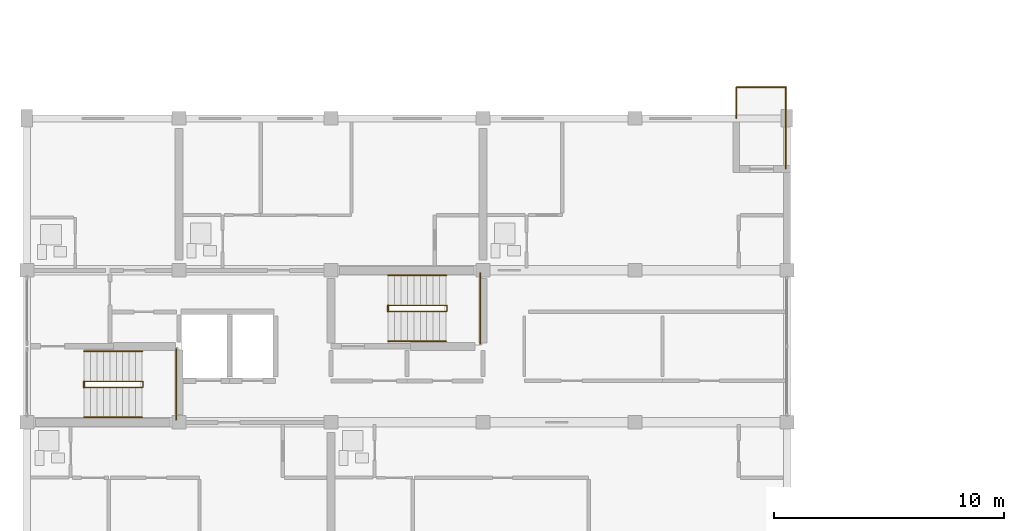
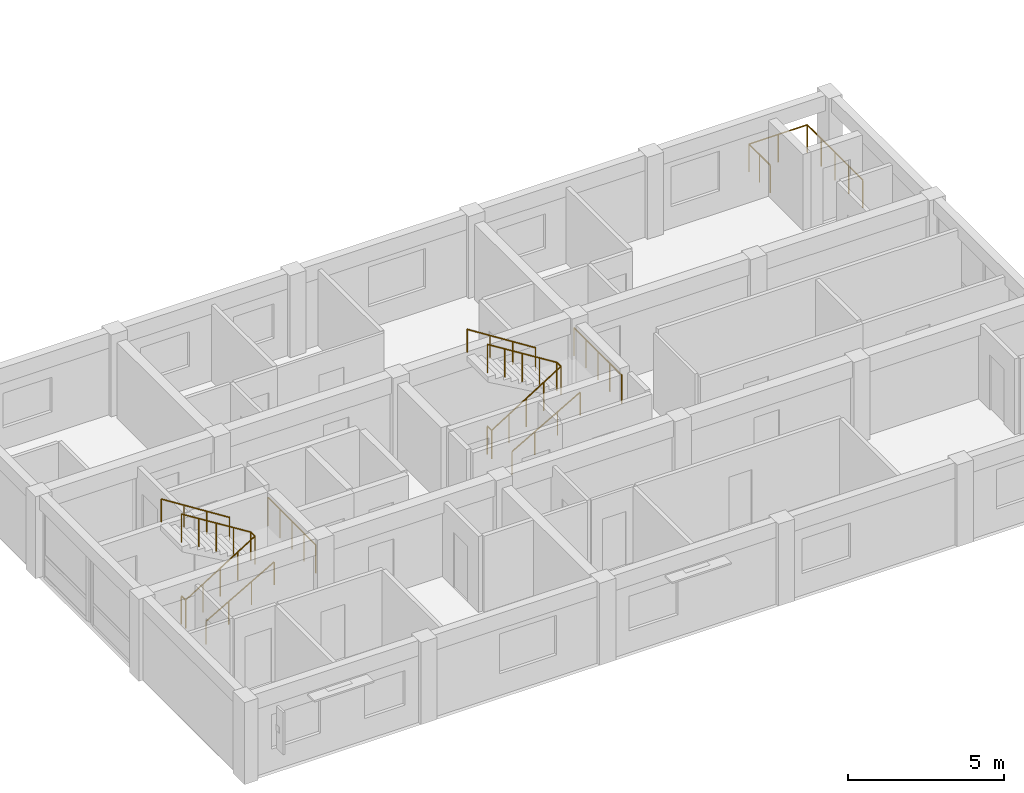
# One storey, part 49 of 52: 11 railings.
"""IFC4 building model written with IfcOpenShell, lengths in metres."""

from ifc_helpers import new_model, si_unit, direction, frame, origin, origin_2d, place, context, subcontext, project, spatial, circle, extrude, material, type_object, element, save


model = new_model("IFC4")

# Units and contexts
model_context = context("Model", 3, precision=1e-05, world=origin(), true_north=direction((0.0, 1.0)))
body_context = subcontext(model_context, "Body", "Model", "MODEL_VIEW")
ifc_project = project(units=[si_unit("LENGTHUNIT", "METRE"), si_unit("AREAUNIT", "SQUARE_METRE"), si_unit("VOLUMEUNIT", "CUBIC_METRE"), si_unit("PLANEANGLEUNIT", "RADIAN"), si_unit("MASSUNIT", "GRAM", prefix="KILO")], contexts=[model_context])

# Site, building, storey
site_placement = place(None, origin())
site = spatial("IfcSite", under=ifc_project, at=site_placement, CompositionType="ELEMENT")
building_placement = place(site_placement, origin())
building = spatial("IfcBuilding", under=site, at=building_placement, Name="Kernevlak Ridge Housing Community", CompositionType="ELEMENT")
storey_placement = place(building_placement, frame((0.0, 0.0, 11.60009765625)))
storey = spatial("IfcBuildingStorey", under=building, at=storey_placement, Name="L03", CompositionType="ELEMENT", Elevation=11.60009765625)

# Railings
ifc_material_1 = material(Name="Steel S355", Category="steel")
railing_type_1 = type_object("IfcRailingType", Name="BL-01", PredefinedType="BALUSTRADE", material=ifc_material_1)
railing_1_placement = place(storey_placement, frame((46.39990234375, 95.800048828125, 0.0)))
element("IfcRailing", 1, at=railing_1_placement, inside=storey, type_object=railing_type_1, Name="Block A L03 balcony balustrade BL-01 3", PredefinedType="BALUSTRADE", context=body_context, shape_type="SweptSolid", body=[
    extrude(circle(Radius=0.02392578125, at=origin_2d()), frame((0.0, 0.0, 1.076171875), z_axis=(0.0, 1.0, 0.0), x_axis=(-1.0, 0.0, 0.0)), (0.0, 0.0, 1.0), 1.349853515625),
    extrude(circle(Radius=0.02392578125, at=origin_2d()), frame((0.0, 1.349853515625, 1.076171875), z_axis=(1.0, 0.0, 0.0), x_axis=(0.0, 1.0, 0.0)), (0.0, 0.0, 1.0), 2.150146484375),
    extrude(circle(Radius=0.02392578125, at=origin_2d()), frame((2.150146484375, 1.349853515625, 1.076171875), z_axis=(0.0, -1.0, 0.0), x_axis=(1.0, 0.0, 0.0)), (0.0, 0.0, 1.0), 3.5498046875),
    extrude(circle(Radius=0.02099609375, at=origin_2d()), origin(), (0.0, 0.0, 1.0), 1.052001953125),
    extrude(circle(Radius=0.02099609375, at=origin_2d()), frame((0.0, 0.6748046875, 0.0)), (0.0, 0.0, 1.0), 1.052001953125),
    extrude(circle(Radius=0.02099609375, at=origin_2d()), frame((0.0, 1.349853515625, 0.0)), (0.0, 0.0, 1.0), 1.052001953125),
    extrude(circle(Radius=0.02099609375, at=origin_2d()), frame((1.0751953125, 1.349853515625, 0.0)), (0.0, 0.0, 1.0), 1.052001953125),
    extrude(circle(Radius=0.02099609375, at=origin_2d()), frame((2.150146484375, 1.349853515625, 0.0)), (0.0, 0.0, 1.0), 1.052001953125),
    extrude(circle(Radius=0.02099609375, at=origin_2d()), frame((2.150146484375, 0.46240234375, 0.0)), (0.0, 0.0, 1.0), 1.052001953125),
    extrude(circle(Radius=0.02099609375, at=origin_2d()), frame((2.150146484375, -0.425048828125, 0.0)), (0.0, 0.0, 1.0), 1.052001953125),
    extrude(circle(Radius=0.02099609375, at=origin_2d()), frame((2.150146484375, -1.3125, 0.0)), (0.0, 0.0, 1.0), 1.052001953125),
    extrude(circle(Radius=0.02099609375, at=origin_2d()), frame((2.150146484375, -2.199951171875, 0.0)), (0.0, 0.0, 1.0), 1.052001953125),
])
railing_type_2 = type_object("IfcRailingType", Name="GR-02", PredefinedType="GUARDRAIL", material=ifc_material_1)
railing_2_placement = place(storey_placement, frame((18.080078125, 84.110107421875, 0.0)))
element("IfcRailing", 2, at=railing_2_placement, inside=storey, type_object=railing_type_2, Name="Stair ST-A1 L03 well slot guard", PredefinedType="GUARDRAIL", context=body_context, shape_type="SweptSolid", body=[
    extrude(circle(Radius=0.02392578125, at=origin_2d()), frame((0.0, 0.0, 1.09619140625), z_axis=(0.0, 1.0, 0.0), x_axis=(-1.0, 0.0, 0.0)), (0.0, 0.0, 1.0), 0.27978515625),
    extrude(circle(Radius=0.02099609375, at=origin_2d()), origin(), (0.0, 0.0, 1.0), 1.072021484375),
    extrude(circle(Radius=0.02099609375, at=origin_2d()), frame((0.0, 0.27978515625, 0.0)), (0.0, 0.0, 1.0), 1.072021484375),
])
railing_3_placement = place(storey_placement, frame((18.080078125, 84.1201171875, 0.0)))
element("IfcRailing", 3, at=railing_3_placement, inside=storey, type_object=railing_type_2, Name="Stair ST-A1 L03 inner well guardrail", PredefinedType="GUARDRAIL", context=body_context, shape_type="SweptSolid", body=[
    extrude(circle(Radius=0.02392578125, at=origin_2d()), frame((0.0, 0.0, 1.09619140625), z_axis=(0.848002847666, 0.0, 0.529991670077), x_axis=(0.0, 1.0, 0.0)), (0.0, 0.0, 1.0), 3.0185546875),
    extrude(circle(Radius=0.02392578125, at=origin_2d()), frame((2.559814453125, 0.0, 2.69580078125), z_axis=(0.0, 1.0, 0.0), x_axis=(-1.0, 0.0, 0.0)), (0.0, 0.0, 1.0), 0.259765625),
    extrude(circle(Radius=0.02392578125, at=origin_2d()), frame((2.559814453125, 0.259765625, 2.69580078125), z_axis=(-0.847966497998, 0.0, 0.530049826217), x_axis=(0.0, -1.0, 0.0)), (0.0, 0.0, 1.0), 3.018798828125),
    extrude(circle(Radius=0.02099609375, at=origin_2d()), origin(), (0.0, 0.0, 1.0), 1.072021484375),
    extrude(circle(Radius=0.02099609375, at=origin_2d()), frame((0.639892578125, 0.0, 0.39990234375)), (0.0, 0.0, 1.0), 1.072021484375),
    extrude(circle(Radius=0.02099609375, at=origin_2d()), frame((1.27978515625, 0.0, 0.7998046875)), (0.0, 0.0, 1.0), 1.072021484375),
    extrude(circle(Radius=0.02099609375, at=origin_2d()), frame((1.919921875, 0.0, 1.199951171875)), (0.0, 0.0, 1.0), 1.072021484375),
    extrude(circle(Radius=0.02099609375, at=origin_2d()), frame((2.559814453125, 0.0, 1.599853515625)), (0.0, 0.0, 1.0), 1.072021484375),
    extrude(circle(Radius=0.02099609375, at=origin_2d()), frame((2.559814453125, 0.259765625, 1.599853515625)), (0.0, 0.0, 1.0), 1.072021484375),
    extrude(circle(Radius=0.02099609375, at=origin_2d()), frame((1.919921875, 0.259765625, 2.0)), (0.0, 0.0, 1.0), 1.072021484375),
    extrude(circle(Radius=0.02099609375, at=origin_2d()), frame((1.27978515625, 0.259765625, 2.39990234375)), (0.0, 0.0, 1.0), 1.072021484375),
    extrude(circle(Radius=0.02099609375, at=origin_2d()), frame((0.639892578125, 0.259765625, 2.7998046875)), (0.0, 0.0, 1.0), 1.072021484375),
    extrude(circle(Radius=0.02099609375, at=origin_2d()), frame((0.0, 0.259765625, 3.199951171875)), (0.0, 0.0, 1.0), 1.072021484375),
])
railing_4_placement = place(storey_placement, frame((22.080078125, 82.719970703125, 1.599853515625)))
element("IfcRailing", 4, at=railing_4_placement, inside=storey, type_object=railing_type_2, Name="Stair ST-A1 L03 half-landing guard", PredefinedType="GUARDRAIL", context=body_context, shape_type="SweptSolid", body=[
    extrude(circle(Radius=0.02392578125, at=origin_2d()), frame((0.0, 0.0, 1.09619140625), z_axis=(0.0, 1.0, 0.0), x_axis=(-1.0, 0.0, 0.0)), (0.0, 0.0, 1.0), 3.06005859375),
    extrude(circle(Radius=0.02099609375, at=origin_2d()), origin(), (0.0, 0.0, 1.0), 1.072021484375),
    extrude(circle(Radius=0.02099609375, at=origin_2d()), frame((0.0, 0.76513671875, 0.0)), (0.0, 0.0, 1.0), 1.072021484375),
    extrude(circle(Radius=0.02099609375, at=origin_2d()), frame((0.0, 1.530029296875, 0.0)), (0.0, 0.0, 1.0), 1.072021484375),
    extrude(circle(Radius=0.02099609375, at=origin_2d()), frame((0.0, 2.294921875, 0.0)), (0.0, 0.0, 1.0), 1.072021484375),
    extrude(circle(Radius=0.02099609375, at=origin_2d()), frame((0.0, 3.06005859375, 0.0)), (0.0, 0.0, 1.0), 1.072021484375),
])
railing_5_placement = place(storey_placement, frame((31.280029296875, 87.409912109375, 0.0)))
element("IfcRailing", 5, at=railing_5_placement, inside=storey, type_object=railing_type_2, Name="Stair ST-A2 L03 well slot guard", PredefinedType="GUARDRAIL", context=body_context, shape_type="SweptSolid", body=[
    extrude(circle(Radius=0.02392578125, at=origin_2d()), frame((0.0, 0.0, 1.09619140625), z_axis=(0.0, 1.0, 0.0), x_axis=(-1.0, 0.0, 0.0)), (0.0, 0.0, 1.0), 0.280029296875),
    extrude(circle(Radius=0.02099609375, at=origin_2d()), origin(), (0.0, 0.0, 1.0), 1.072021484375),
    extrude(circle(Radius=0.02099609375, at=origin_2d()), frame((0.0, 0.280029296875, 0.0)), (0.0, 0.0, 1.0), 1.072021484375),
])
railing_6_placement = place(storey_placement, frame((31.280029296875, 87.419921875, 0.0)))
element("IfcRailing", 6, at=railing_6_placement, inside=storey, type_object=railing_type_2, Name="Stair ST-A2 L03 inner well guardrail", PredefinedType="GUARDRAIL", context=body_context, shape_type="SweptSolid", body=[
    extrude(circle(Radius=0.02392578125, at=origin_2d()), frame((0.0, 0.0, 1.09619140625), z_axis=(0.848025563165, 0.0, 0.529955322851), x_axis=(0.0, 1.0, 0.0)), (0.0, 0.0, 1.0), 3.018798828125),
    extrude(circle(Radius=0.02392578125, at=origin_2d()), frame((2.56005859375, 0.0, 2.69580078125), z_axis=(0.0, 1.0, 0.0), x_axis=(-1.0, 0.0, 0.0)), (0.0, 0.0, 1.0), 0.260009765625),
    extrude(circle(Radius=0.02392578125, at=origin_2d()), frame((2.56005859375, 0.260009765625, 2.69580078125), z_axis=(-0.847989217509, 0.0, 0.530013478119), x_axis=(0.0, -1.0, 0.0)), (0.0, 0.0, 1.0), 3.01904296875),
    extrude(circle(Radius=0.02099609375, at=origin_2d()), origin(), (0.0, 0.0, 1.0), 1.072021484375),
    extrude(circle(Radius=0.02099609375, at=origin_2d()), frame((0.64013671875, 0.0, 0.39990234375)), (0.0, 0.0, 1.0), 1.072021484375),
    extrude(circle(Radius=0.02099609375, at=origin_2d()), frame((1.280029296875, 0.0, 0.7998046875)), (0.0, 0.0, 1.0), 1.072021484375),
    extrude(circle(Radius=0.02099609375, at=origin_2d()), frame((1.919921875, 0.0, 1.199951171875)), (0.0, 0.0, 1.0), 1.072021484375),
    extrude(circle(Radius=0.02099609375, at=origin_2d()), frame((2.56005859375, 0.0, 1.599853515625)), (0.0, 0.0, 1.0), 1.072021484375),
    extrude(circle(Radius=0.02099609375, at=origin_2d()), frame((2.56005859375, 0.260009765625, 1.599853515625)), (0.0, 0.0, 1.0), 1.072021484375),
    extrude(circle(Radius=0.02099609375, at=origin_2d()), frame((1.919921875, 0.260009765625, 2.0)), (0.0, 0.0, 1.0), 1.072021484375),
    extrude(circle(Radius=0.02099609375, at=origin_2d()), frame((1.280029296875, 0.260009765625, 2.39990234375)), (0.0, 0.0, 1.0), 1.072021484375),
    extrude(circle(Radius=0.02099609375, at=origin_2d()), frame((0.64013671875, 0.260009765625, 2.7998046875)), (0.0, 0.0, 1.0), 1.072021484375),
    extrude(circle(Radius=0.02099609375, at=origin_2d()), frame((0.0, 0.260009765625, 3.199951171875)), (0.0, 0.0, 1.0), 1.072021484375),
])
railing_7_placement = place(storey_placement, frame((35.280029296875, 86.02001953125, 1.599853515625)))
element("IfcRailing", 7, at=railing_7_placement, inside=storey, type_object=railing_type_2, Name="Stair ST-A2 L03 half-landing guard", PredefinedType="GUARDRAIL", context=body_context, shape_type="SweptSolid", body=[
    extrude(circle(Radius=0.02392578125, at=origin_2d()), frame((0.0, 0.0, 1.09619140625), z_axis=(0.0, 1.0, 0.0), x_axis=(-1.0, 0.0, 0.0)), (0.0, 0.0, 1.0), 3.06005859375),
    extrude(circle(Radius=0.02099609375, at=origin_2d()), origin(), (0.0, 0.0, 1.0), 1.072021484375),
    extrude(circle(Radius=0.02099609375, at=origin_2d()), frame((0.0, 0.76513671875, 0.0)), (0.0, 0.0, 1.0), 1.072021484375),
    extrude(circle(Radius=0.02099609375, at=origin_2d()), frame((0.0, 1.530029296875, 0.0)), (0.0, 0.0, 1.0), 1.072021484375),
    extrude(circle(Radius=0.02099609375, at=origin_2d()), frame((0.0, 2.294921875, 0.0)), (0.0, 0.0, 1.0), 1.072021484375),
    extrude(circle(Radius=0.02099609375, at=origin_2d()), frame((0.0, 3.06005859375, 0.0)), (0.0, 0.0, 1.0), 1.072021484375),
])
ifc_material_2 = material(Name="Stainless steel EN 1.4401", Category="steel")
railing_type_3 = type_object("IfcRailingType", Name="HR-01", PredefinedType="HANDRAIL", material=ifc_material_2)
railing_8_placement = place(storey_placement, frame((18.080078125, 82.820068359375, 0.159912109375)))
element("IfcRailing", 8, at=railing_8_placement, inside=storey, type_object=railing_type_3, Name="Stair ST-A1 L03 flight 1 handrail", PredefinedType="HANDRAIL", context=body_context, shape_type="SweptSolid", body=[
    extrude(circle(Radius=0.02392578125, at=origin_2d()), frame((0.0, 0.0, 0.89599609375), z_axis=(0.868253494771, 0.0, 0.496120820787), x_axis=(0.0, 1.0, 0.0)), (0.0, 0.0, 1.0), 2.90234375),
    extrude(circle(Radius=0.02099609375, at=origin_2d()), origin(), (0.0, 0.0, 1.0), 0.871826171875),
    extrude(circle(Radius=0.02099609375, at=origin_2d()), frame((0.840087890625, 0.0, 0.47998046875)), (0.0, 0.0, 1.0), 0.871826171875),
    extrude(circle(Radius=0.02099609375, at=origin_2d()), frame((1.679931640625, 0.0, 0.9599609375)), (0.0, 0.0, 1.0), 0.871826171875),
    extrude(circle(Radius=0.02099609375, at=origin_2d()), frame((2.52001953125, 0.0, 1.43994140625)), (0.0, 0.0, 1.0), 0.871826171875),
])
railing_9_placement = place(storey_placement, frame((20.60009765625, 85.679931640625, 1.599853515625)))
element("IfcRailing", 9, at=railing_9_placement, inside=storey, type_object=railing_type_3, Name="Stair ST-A1 L03 flight 2 handrail", PredefinedType="HANDRAIL", context=body_context, shape_type="SweptSolid", body=[
    extrude(circle(Radius=0.02392578125, at=origin_2d()), frame((0.0, 0.0, 0.89599609375), z_axis=(-0.844199891302, 0.0, 0.536028491338), x_axis=(0.0, -1.0, 0.0)), (0.0, 0.0, 1.0), 2.985107421875),
    extrude(circle(Radius=0.02099609375, at=origin_2d()), origin(), (0.0, 0.0, 1.0), 0.871826171875),
    extrude(circle(Radius=0.02099609375, at=origin_2d()), frame((-0.840087890625, 0.0, 0.533447265625)), (0.0, 0.0, 1.0), 0.871826171875),
    extrude(circle(Radius=0.02099609375, at=origin_2d()), frame((-1.679931640625, 0.0, 1.066650390625)), (0.0, 0.0, 1.0), 0.871826171875),
    extrude(circle(Radius=0.02099609375, at=origin_2d()), frame((-2.52001953125, 0.0, 1.60009765625)), (0.0, 0.0, 1.0), 0.871826171875),
])
railing_10_placement = place(storey_placement, frame((31.280029296875, 86.1201171875, 0.159912109375)))
element("IfcRailing", 10, at=railing_10_placement, inside=storey, type_object=railing_type_3, Name="Stair ST-A2 L03 flight 1 handrail", PredefinedType="HANDRAIL", context=body_context, shape_type="SweptSolid", body=[
    extrude(circle(Radius=0.02392578125, at=origin_2d()), frame((0.0, 0.0, 0.89599609375), z_axis=(0.868253494771, 0.0, 0.496120820787), x_axis=(0.0, 1.0, 0.0)), (0.0, 0.0, 1.0), 2.90234375),
    extrude(circle(Radius=0.02099609375, at=origin_2d()), origin(), (0.0, 0.0, 1.0), 0.871826171875),
    extrude(circle(Radius=0.02099609375, at=origin_2d()), frame((0.840087890625, 0.0, 0.47998046875)), (0.0, 0.0, 1.0), 0.871826171875),
    extrude(circle(Radius=0.02099609375, at=origin_2d()), frame((1.679931640625, 0.0, 0.9599609375)), (0.0, 0.0, 1.0), 0.871826171875),
    extrude(circle(Radius=0.02099609375, at=origin_2d()), frame((2.52001953125, 0.0, 1.43994140625)), (0.0, 0.0, 1.0), 0.871826171875),
])
railing_11_placement = place(storey_placement, frame((33.800048828125, 88.97998046875, 1.599853515625)))
element("IfcRailing", 11, at=railing_11_placement, inside=storey, type_object=railing_type_3, Name="Stair ST-A2 L03 flight 2 handrail", PredefinedType="HANDRAIL", context=body_context, shape_type="SweptSolid", body=[
    extrude(circle(Radius=0.02392578125, at=origin_2d()), frame((0.0, 0.0, 0.89599609375), z_axis=(-0.844199891302, 0.0, 0.536028491338), x_axis=(0.0, -1.0, 0.0)), (0.0, 0.0, 1.0), 2.985107421875),
    extrude(circle(Radius=0.02099609375, at=origin_2d()), origin(), (0.0, 0.0, 1.0), 0.871826171875),
    extrude(circle(Radius=0.02099609375, at=origin_2d()), frame((-0.840087890625, 0.0, 0.533447265625)), (0.0, 0.0, 1.0), 0.871826171875),
    extrude(circle(Radius=0.02099609375, at=origin_2d()), frame((-1.679931640625, 0.0, 1.066650390625)), (0.0, 0.0, 1.0), 0.871826171875),
    extrude(circle(Radius=0.02099609375, at=origin_2d()), frame((-2.52001953125, 0.0, 1.60009765625)), (0.0, 0.0, 1.0), 0.871826171875),
])

save(model, "model.ifc")
